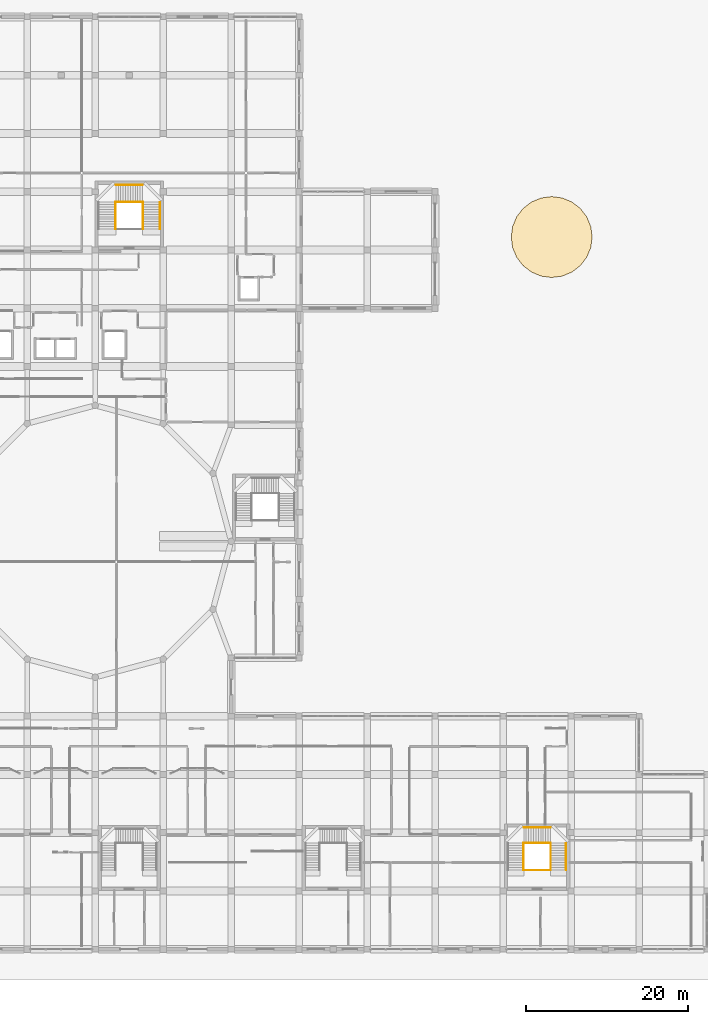
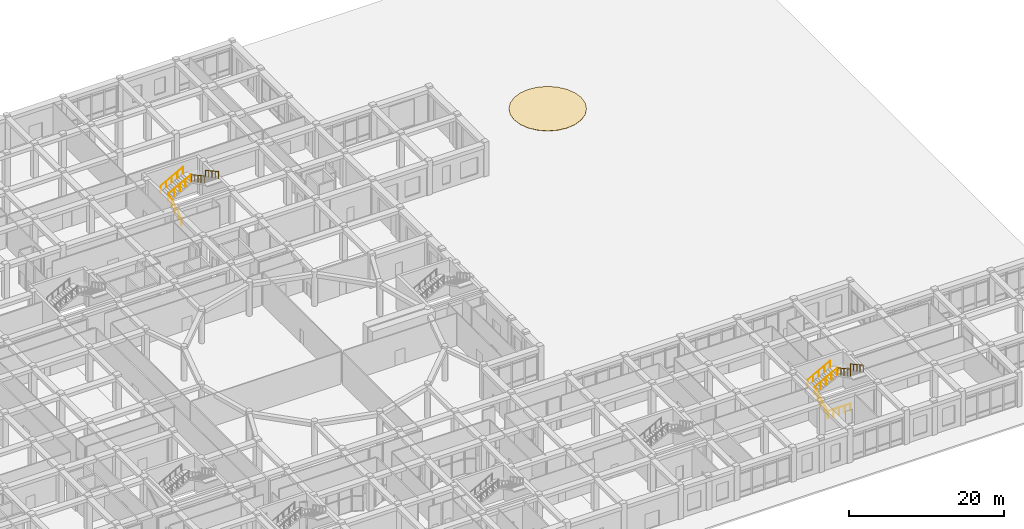
# One storey, part 83 of 84: 11 railings, 1 covering.
"""IFC4 building model written with IfcOpenShell, lengths in metres."""

from ifc_helpers import new_model, si_unit, derived_unit, direction, frame, origin, origin_2d, place, context, subcontext, project, spatial, polyline, circle, outline, extrude, material, layer, layer_set, type_object, element, save


model = new_model("IFC4")

# Units and contexts
model_context = context("Model", 3, precision=1e-05, world=origin(), true_north=direction((0.0, 1.0)))
body_context = subcontext(model_context, "Body", "Model", "MODEL_VIEW")
ifc_project = project(units=[si_unit("LENGTHUNIT", "METRE"), si_unit("AREAUNIT", "SQUARE_METRE"), si_unit("VOLUMEUNIT", "CUBIC_METRE"), si_unit("PLANEANGLEUNIT", "RADIAN"), si_unit("MASSUNIT", "GRAM", prefix="KILO"), derived_unit("THERMALTRANSMITTANCEUNIT", [(si_unit("POWERUNIT", "WATT"), 1), (si_unit("LENGTHUNIT", "METRE"), -2), (si_unit("THERMODYNAMICTEMPERATUREUNIT", "KELVIN"), -1)])], contexts=[model_context])

# Site, building, storey
site_placement = place(None, origin())
site = spatial("IfcSite", under=ifc_project, at=site_placement, CompositionType="ELEMENT")
building_placement = place(site_placement, origin())
building = spatial("IfcBuilding", under=site, at=building_placement, Name="Veybourne Emporium", CompositionType="ELEMENT")
storey_placement = place(building_placement, origin())
storey = spatial("IfcBuildingStorey", under=building, at=storey_placement, Name="L00", CompositionType="ELEMENT", Elevation=0.0)

# Railings
ifc_material_1 = material(Name="Brushed Stainless Steel", Category="steel")
railing_type_1 = type_object("IfcRailingType", Name="Guard_GR-01", PredefinedType="GUARDRAIL", material=ifc_material_1)
railing_1_placement = place(storey_placement, frame((78.110107421875, 89.0, 0.0)))
element("IfcRailing", 1, at=railing_1_placement, inside=storey, type_object=railing_type_1, Name="L00 ST-04 stair guard 1", PredefinedType="GUARDRAIL", context=body_context, shape_type="SweptSolid", body=[
    extrude(circle(Radius=0.02392578125, at=origin_2d()), frame((0.0, 0.0, 1.1259765625), z_axis=(0.0, 0.877893090839, 0.478856681124), x_axis=(-1.0, 0.0, 0.0)), (0.0, 0.0, 1.0), 3.759033203125),
    extrude(circle(Radius=0.02392578125, at=origin_2d()), frame((0.0, 3.300048828125, 2.92578125), z_axis=(0.0, 1.0, 0.0), x_axis=(-1.0, 0.0, 0.0)), (0.0, 0.0, 1.0), 0.0400390625),
    extrude(circle(Radius=0.02099609375, at=origin_2d()), origin(), (0.0, 0.0, 1.0), 1.101806640625),
    extrude(circle(Radius=0.02099609375, at=origin_2d()), frame((0.0, 0.824951171875, 0.449951171875)), (0.0, 0.0, 1.0), 1.101806640625),
    extrude(circle(Radius=0.02099609375, at=origin_2d()), frame((0.0, 1.64990234375, 0.89990234375)), (0.0, 0.0, 1.0), 1.101806640625),
    extrude(circle(Radius=0.02099609375, at=origin_2d()), frame((0.0, 2.47509765625, 1.35009765625)), (0.0, 0.0, 1.0), 1.101806640625),
    extrude(circle(Radius=0.02099609375, at=origin_2d()), frame((0.0, 3.300048828125, 1.800048828125)), (0.0, 0.0, 1.0), 1.101806640625),
    extrude(circle(Radius=0.02099609375, at=origin_2d()), frame((0.0, 3.340087890625, 1.800048828125)), (0.0, 0.0, 1.0), 1.101806640625),
])
railing_2_placement = place(storey_placement, frame((78.110107421875, 92.340087890625, 1.800048828125)))
element("IfcRailing", 2, at=railing_2_placement, inside=storey, type_object=railing_type_1, Name="L00 ST-04 stair guard 2", PredefinedType="GUARDRAIL", context=body_context, shape_type="SweptSolid", body=[
    extrude(circle(Radius=0.02392578125, at=origin_2d()), frame((0.0, 0.0, 1.1259765625), z_axis=(0.880287138734, 0.0, 0.47444130657), x_axis=(0.0, 1.0, 0.0)), (0.0, 0.0, 1.0), 3.7939453125),
    extrude(circle(Radius=0.02392578125, at=origin_2d()), frame((3.33984375, 0.0, 2.92578125), z_axis=(1.0, 0.0, 0.0), x_axis=(0.0, 1.0, 0.0)), (0.0, 0.0, 1.0), 0.0400390625),
    extrude(circle(Radius=0.02099609375, at=origin_2d()), origin(), (0.0, 0.0, 1.0), 1.101806640625),
    extrude(circle(Radius=0.02099609375, at=origin_2d()), frame((0.8349609375, 0.0, 0.449951171875)), (0.0, 0.0, 1.0), 1.101806640625),
    extrude(circle(Radius=0.02099609375, at=origin_2d()), frame((1.669921875, 0.0, 0.89990234375)), (0.0, 0.0, 1.0), 1.101806640625),
    extrude(circle(Radius=0.02099609375, at=origin_2d()), frame((2.5048828125, 0.0, 1.35009765625)), (0.0, 0.0, 1.0), 1.101806640625),
    extrude(circle(Radius=0.02099609375, at=origin_2d()), frame((3.33984375, 0.0, 1.800048828125)), (0.0, 0.0, 1.0), 1.101806640625),
    extrude(circle(Radius=0.02099609375, at=origin_2d()), frame((3.3798828125, 0.0, 1.800048828125)), (0.0, 0.0, 1.0), 1.101806640625),
])
railing_3_placement = place(storey_placement, frame((81.489990234375, 92.340087890625, 3.60009765625)))
element("IfcRailing", 3, at=railing_3_placement, inside=storey, type_object=railing_type_1, Name="L00 ST-04 stair guard 3", PredefinedType="GUARDRAIL", context=body_context, shape_type="SweptSolid", body=[
    extrude(circle(Radius=0.02392578125, at=origin_2d()), frame((0.0, 0.0, 1.1259765625), z_axis=(0.0, -1.0, 0.0), x_axis=(1.0, 0.0, 0.0)), (0.0, 0.0, 1.0), 0.0400390625),
    extrude(circle(Radius=0.02392578125, at=origin_2d()), frame((0.0, -0.0400390625, 1.1259765625), z_axis=(0.0, -0.877920393143, 0.478806624122), x_axis=(1.0, 0.0, 0.0)), (0.0, 0.0, 1.0), 3.759033203125),
    extrude(circle(Radius=0.02099609375, at=origin_2d()), origin(), (0.0, 0.0, 1.0), 1.101806640625),
    extrude(circle(Radius=0.02099609375, at=origin_2d()), frame((0.0, -0.0400390625, 0.0)), (0.0, 0.0, 1.0), 1.101806640625),
    extrude(circle(Radius=0.02099609375, at=origin_2d()), frame((0.0, -0.864990234375, 0.449951171875)), (0.0, 0.0, 1.0), 1.101806640625),
    extrude(circle(Radius=0.02099609375, at=origin_2d()), frame((0.0, -1.68994140625, 0.89990234375)), (0.0, 0.0, 1.0), 1.101806640625),
    extrude(circle(Radius=0.02099609375, at=origin_2d()), frame((0.0, -2.51513671875, 1.349853515625)), (0.0, 0.0, 1.0), 1.101806640625),
    extrude(circle(Radius=0.02099609375, at=origin_2d()), frame((0.0, -3.340087890625, 1.7998046875)), (0.0, 0.0, 1.0), 1.101806640625),
])
railing_4_placement = place(storey_placement, frame((128.510009765625, 9.800048828125, 0.0)))
element("IfcRailing", 4, at=railing_4_placement, inside=storey, type_object=railing_type_1, Name="L00 ST-06 stair guard 1", PredefinedType="GUARDRAIL", context=body_context, shape_type="SweptSolid", body=[
    extrude(circle(Radius=0.02392578125, at=origin_2d()), frame((0.0, 0.0, 1.1259765625), z_axis=(0.0, 0.877893090839, 0.478856681124), x_axis=(-1.0, 0.0, 0.0)), (0.0, 0.0, 1.0), 3.759033203125),
    extrude(circle(Radius=0.02392578125, at=origin_2d()), frame((0.0, 3.300048828125, 2.92578125), z_axis=(0.0, 1.0, 0.0), x_axis=(-1.0, 0.0, 0.0)), (0.0, 0.0, 1.0), 0.039794921875),
    extrude(circle(Radius=0.02099609375, at=origin_2d()), origin(), (0.0, 0.0, 1.0), 1.101806640625),
    extrude(circle(Radius=0.02099609375, at=origin_2d()), frame((0.0, 0.824951171875, 0.449951171875)), (0.0, 0.0, 1.0), 1.101806640625),
    extrude(circle(Radius=0.02099609375, at=origin_2d()), frame((0.0, 1.64990234375, 0.89990234375)), (0.0, 0.0, 1.0), 1.101806640625),
    extrude(circle(Radius=0.02099609375, at=origin_2d()), frame((0.0, 2.47509765625, 1.35009765625)), (0.0, 0.0, 1.0), 1.101806640625),
    extrude(circle(Radius=0.02099609375, at=origin_2d()), frame((0.0, 3.300048828125, 1.800048828125)), (0.0, 0.0, 1.0), 1.101806640625),
    extrude(circle(Radius=0.02099609375, at=origin_2d()), frame((0.0, 3.33984375, 1.800048828125)), (0.0, 0.0, 1.0), 1.101806640625),
])
railing_5_placement = place(storey_placement, frame((128.510009765625, 13.139892578125, 1.800048828125)))
element("IfcRailing", 5, at=railing_5_placement, inside=storey, type_object=railing_type_1, Name="L00 ST-06 stair guard 2", PredefinedType="GUARDRAIL", context=body_context, shape_type="SweptSolid", body=[
    extrude(circle(Radius=0.02392578125, at=origin_2d()), frame((0.0, 0.0, 1.1259765625), z_axis=(0.880301621994, 0.0, 0.47441443308), x_axis=(0.0, 1.0, 0.0)), (0.0, 0.0, 1.0), 3.794189453125),
    extrude(circle(Radius=0.02392578125, at=origin_2d()), frame((3.340087890625, 0.0, 2.92578125), z_axis=(1.0, 0.0, 0.0), x_axis=(0.0, 1.0, 0.0)), (0.0, 0.0, 1.0), 0.039794921875),
    extrude(circle(Radius=0.02099609375, at=origin_2d()), origin(), (0.0, 0.0, 1.0), 1.101806640625),
    extrude(circle(Radius=0.02099609375, at=origin_2d()), frame((0.8349609375, 0.0, 0.449951171875)), (0.0, 0.0, 1.0), 1.101806640625),
    extrude(circle(Radius=0.02099609375, at=origin_2d()), frame((1.669921875, 0.0, 0.89990234375)), (0.0, 0.0, 1.0), 1.101806640625),
    extrude(circle(Radius=0.02099609375, at=origin_2d()), frame((2.505126953125, 0.0, 1.35009765625)), (0.0, 0.0, 1.0), 1.101806640625),
    extrude(circle(Radius=0.02099609375, at=origin_2d()), frame((3.340087890625, 0.0, 1.800048828125)), (0.0, 0.0, 1.0), 1.101806640625),
    extrude(circle(Radius=0.02099609375, at=origin_2d()), frame((3.3798828125, 0.0, 1.800048828125)), (0.0, 0.0, 1.0), 1.101806640625),
])
railing_6_placement = place(storey_placement, frame((131.889892578125, 13.139892578125, 3.60009765625)))
element("IfcRailing", 6, at=railing_6_placement, inside=storey, type_object=railing_type_1, Name="L00 ST-06 stair guard 3", PredefinedType="GUARDRAIL", context=body_context, shape_type="SweptSolid", body=[
    extrude(circle(Radius=0.02392578125, at=origin_2d()), frame((0.0, 0.0, 1.1259765625), z_axis=(0.0, -1.0, 0.0), x_axis=(1.0, 0.0, 0.0)), (0.0, 0.0, 1.0), 0.039794921875),
    extrude(circle(Radius=0.02392578125, at=origin_2d()), frame((0.0, -0.039794921875, 1.1259765625), z_axis=(0.0, -0.877920393143, 0.478806624122), x_axis=(1.0, 0.0, 0.0)), (0.0, 0.0, 1.0), 3.759033203125),
    extrude(circle(Radius=0.02099609375, at=origin_2d()), origin(), (0.0, 0.0, 1.0), 1.101806640625),
    extrude(circle(Radius=0.02099609375, at=origin_2d()), frame((0.0, -0.039794921875, 0.0)), (0.0, 0.0, 1.0), 1.101806640625),
    extrude(circle(Radius=0.02099609375, at=origin_2d()), frame((0.0, -0.86474609375, 0.449951171875)), (0.0, 0.0, 1.0), 1.101806640625),
    extrude(circle(Radius=0.02099609375, at=origin_2d()), frame((0.0, -1.68994140625, 0.89990234375)), (0.0, 0.0, 1.0), 1.101806640625),
    extrude(circle(Radius=0.02099609375, at=origin_2d()), frame((0.0, -2.514892578125, 1.349853515625)), (0.0, 0.0, 1.0), 1.101806640625),
    extrude(circle(Radius=0.02099609375, at=origin_2d()), frame((0.0, -3.33984375, 1.7998046875)), (0.0, 0.0, 1.0), 1.101806640625),
])
railing_7_placement = place(storey_placement, frame((128.510009765625, 9.760009765625, 0.0)))
element("IfcRailing", 7, at=railing_7_placement, inside=storey, type_object=railing_type_1, Name="L00 ST-06 stair guard 4", PredefinedType="GUARDRAIL", context=body_context, shape_type="SweptSolid", body=[
    extrude(circle(Radius=0.02392578125, at=origin_2d()), frame((0.0, 0.0, 1.1259765625), z_axis=(1.0, 0.0, 0.0), x_axis=(0.0, 1.0, 0.0)), (0.0, 0.0, 1.0), 3.3798828125),
    extrude(circle(Radius=0.02099609375, at=origin_2d()), origin(), (0.0, 0.0, 1.0), 1.101806640625),
    extrude(circle(Radius=0.02099609375, at=origin_2d()), frame((0.844970703125, 0.0, 0.0)), (0.0, 0.0, 1.0), 1.101806640625),
    extrude(circle(Radius=0.02099609375, at=origin_2d()), frame((1.68994140625, 0.0, 0.0)), (0.0, 0.0, 1.0), 1.101806640625),
    extrude(circle(Radius=0.02099609375, at=origin_2d()), frame((2.534912109375, 0.0, 0.0)), (0.0, 0.0, 1.0), 1.101806640625),
    extrude(circle(Radius=0.02099609375, at=origin_2d()), frame((3.3798828125, 0.0, 0.0)), (0.0, 0.0, 1.0), 1.101806640625),
])
railing_type_2 = type_object("IfcRailingType", Name="Handrail_HR-01", PredefinedType="HANDRAIL", material=ifc_material_1)
railing_8_placement = place(storey_placement, frame((78.14990234375, 94.43994140625, 1.949951171875)))
element("IfcRailing", 8, at=railing_8_placement, inside=storey, type_object=railing_type_2, Name="L00 ST-04 pitch handrail 2", PredefinedType="HANDRAIL", context=body_context, shape_type="SweptSolid", body=[
    extrude(circle(Radius=0.02392578125, at=origin_2d()), frame((0.0, 0.0, 0.92578125), z_axis=(0.877893090839, 0.0, 0.478856681124), x_axis=(0.0, 1.0, 0.0)), (0.0, 0.0, 1.0), 3.759033203125),
    extrude(circle(Radius=0.02099609375, at=origin_2d()), frame((0.0, 0.0, -0.14990234375)), (0.0, 0.0, 1.0), 1.0517578125),
    extrude(circle(Radius=0.02099609375, at=origin_2d()), frame((0.824951171875, 0.0, 0.300048828125)), (0.0, 0.0, 1.0), 1.0517578125),
    extrude(circle(Radius=0.02099609375, at=origin_2d()), frame((1.64990234375, 0.0, 0.75)), (0.0, 0.0, 1.0), 1.0517578125),
    extrude(circle(Radius=0.02099609375, at=origin_2d()), frame((2.47509765625, 0.0, 1.2001953125)), (0.0, 0.0, 1.0), 1.0517578125),
    extrude(circle(Radius=0.02099609375, at=origin_2d()), frame((3.300048828125, 0.0, 1.650146484375)), (0.0, 0.0, 1.0), 1.0517578125),
])
railing_9_placement = place(storey_placement, frame((83.590087890625, 92.300048828125, 3.75)))
element("IfcRailing", 9, at=railing_9_placement, inside=storey, type_object=railing_type_2, Name="L00 ST-04 pitch handrail 3", PredefinedType="HANDRAIL", context=body_context, shape_type="SweptSolid", body=[
    extrude(circle(Radius=0.02392578125, at=origin_2d()), frame((0.0, 0.0, 0.92578125), z_axis=(0.0, -0.877893090839, 0.478856681124), x_axis=(1.0, 0.0, 0.0)), (0.0, 0.0, 1.0), 3.759033203125),
    extrude(circle(Radius=0.02099609375, at=origin_2d()), frame((0.0, 0.0, -0.14990234375)), (0.0, 0.0, 1.0), 1.0517578125),
    extrude(circle(Radius=0.02099609375, at=origin_2d()), frame((0.0, -0.824951171875, 0.300048828125)), (0.0, 0.0, 1.0), 1.0517578125),
    extrude(circle(Radius=0.02099609375, at=origin_2d()), frame((0.0, -1.64990234375, 0.75)), (0.0, 0.0, 1.0), 1.0517578125),
    extrude(circle(Radius=0.02099609375, at=origin_2d()), frame((0.0, -2.47509765625, 1.2001953125)), (0.0, 0.0, 1.0), 1.0517578125),
    extrude(circle(Radius=0.02099609375, at=origin_2d()), frame((0.0, -3.300048828125, 1.650146484375)), (0.0, 0.0, 1.0), 1.0517578125),
])
railing_10_placement = place(storey_placement, frame((128.550048828125, 15.0400390625, 1.949951171875)))
element("IfcRailing", 10, at=railing_10_placement, inside=storey, type_object=railing_type_2, Name="L00 ST-06 pitch handrail 2", PredefinedType="HANDRAIL", context=body_context, shape_type="SweptSolid", body=[
    extrude(circle(Radius=0.02392578125, at=origin_2d()), frame((0.0, 0.0, 0.92578125), z_axis=(0.877893090839, 0.0, 0.478856681124), x_axis=(0.0, 1.0, 0.0)), (0.0, 0.0, 1.0), 3.759033203125),
    extrude(circle(Radius=0.02099609375, at=origin_2d()), frame((0.0, 0.0, -0.14990234375)), (0.0, 0.0, 1.0), 1.0517578125),
    extrude(circle(Radius=0.02099609375, at=origin_2d()), frame((0.824951171875, 0.0, 0.300048828125)), (0.0, 0.0, 1.0), 1.0517578125),
    extrude(circle(Radius=0.02099609375, at=origin_2d()), frame((1.64990234375, 0.0, 0.75)), (0.0, 0.0, 1.0), 1.0517578125),
    extrude(circle(Radius=0.02099609375, at=origin_2d()), frame((2.47509765625, 0.0, 1.2001953125)), (0.0, 0.0, 1.0), 1.0517578125),
    extrude(circle(Radius=0.02099609375, at=origin_2d()), frame((3.300048828125, 0.0, 1.650146484375)), (0.0, 0.0, 1.0), 1.0517578125),
])
railing_11_placement = place(storey_placement, frame((133.7900390625, 13.10009765625, 3.75)))
element("IfcRailing", 11, at=railing_11_placement, inside=storey, type_object=railing_type_2, Name="L00 ST-06 pitch handrail 3", PredefinedType="HANDRAIL", context=body_context, shape_type="SweptSolid", body=[
    extrude(circle(Radius=0.02392578125, at=origin_2d()), frame((0.0, 0.0, 0.92578125), z_axis=(0.0, -0.877893090839, 0.478856681124), x_axis=(1.0, 0.0, 0.0)), (0.0, 0.0, 1.0), 3.759033203125),
    extrude(circle(Radius=0.02099609375, at=origin_2d()), frame((0.0, 0.0, -0.14990234375)), (0.0, 0.0, 1.0), 1.0517578125),
    extrude(circle(Radius=0.02099609375, at=origin_2d()), frame((0.0, -0.824951171875, 0.300048828125)), (0.0, 0.0, 1.0), 1.0517578125),
    extrude(circle(Radius=0.02099609375, at=origin_2d()), frame((0.0, -1.64990234375, 0.75)), (0.0, 0.0, 1.0), 1.0517578125),
    extrude(circle(Radius=0.02099609375, at=origin_2d()), frame((0.0, -2.47509765625, 1.2001953125)), (0.0, 0.0, 1.0), 1.0517578125),
    extrude(circle(Radius=0.02099609375, at=origin_2d()), frame((0.0, -3.300048828125, 1.650146484375)), (0.0, 0.0, 1.0), 1.0517578125),
])

# Covering
ifc_material_2 = material(Name="Concrete C35/45", Category="concrete")
ifc_layer = layer(ifc_material_2, 0.034912109375)
ifc_layer_set = layer_set([ifc_layer], Name="Concrete C35/45")
covering_type = type_object("IfcCoveringType", Name="Paving_TT-01", PredefinedType="FLOORING", material=ifc_layer_set)
covering_placement = place(storey_placement, origin())
element("IfcCovering", 12, at=covering_placement, inside=storey, type_object=covering_type, Name="10.0 m diameter flush HGV vehicle turntable apron", PredefinedType="FLOORING", context=body_context, shape_type="SweptSolid", body=[
    extrude(outline(polyline([(137.0, 88.0), (136.82958984375, 89.294189453125), (136.330078125, 90.5), (135.535400390625, 91.535400390625), (134.5, 92.330078125), (133.294189453125, 92.82958984375), (132.0, 93.0), (130.705810546875, 92.82958984375), (129.5, 92.330078125), (128.464599609375, 91.535400390625), (127.669921875, 90.5), (127.17041015625, 89.294189453125), (127.0, 88.0), (127.17041015625, 86.705810546875), (127.669921875, 85.5), (128.464599609375, 84.464599609375), (129.5, 83.669921875), (130.705810546875, 83.17041015625), (132.0, 83.0), (133.294189453125, 83.17041015625), (134.5, 83.669921875), (135.535400390625, 84.464599609375), (136.330078125, 85.5), (136.82958984375, 86.705810546875), (137.0, 88.0)])), origin(), (0.0, 0.0, 1.0), 0.034912109375),
])

save(model, "model.ifc")
